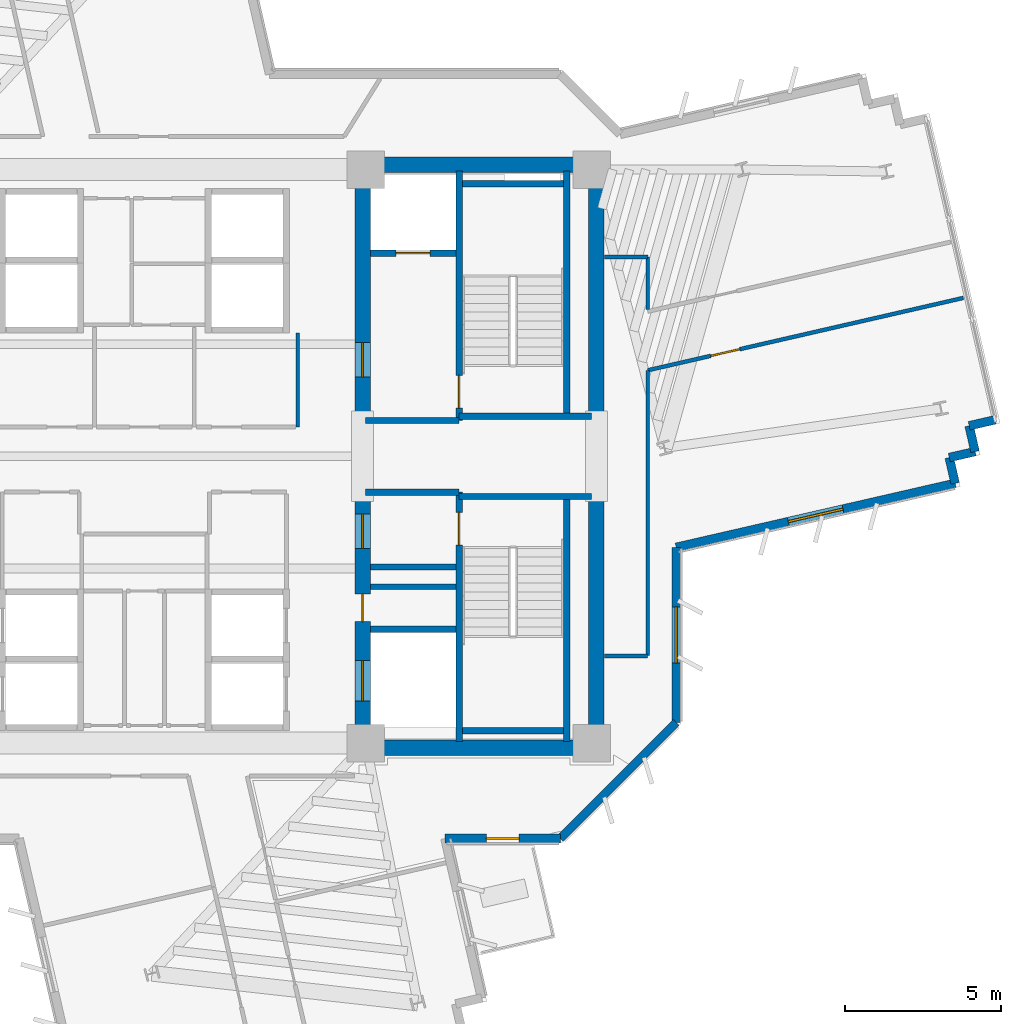
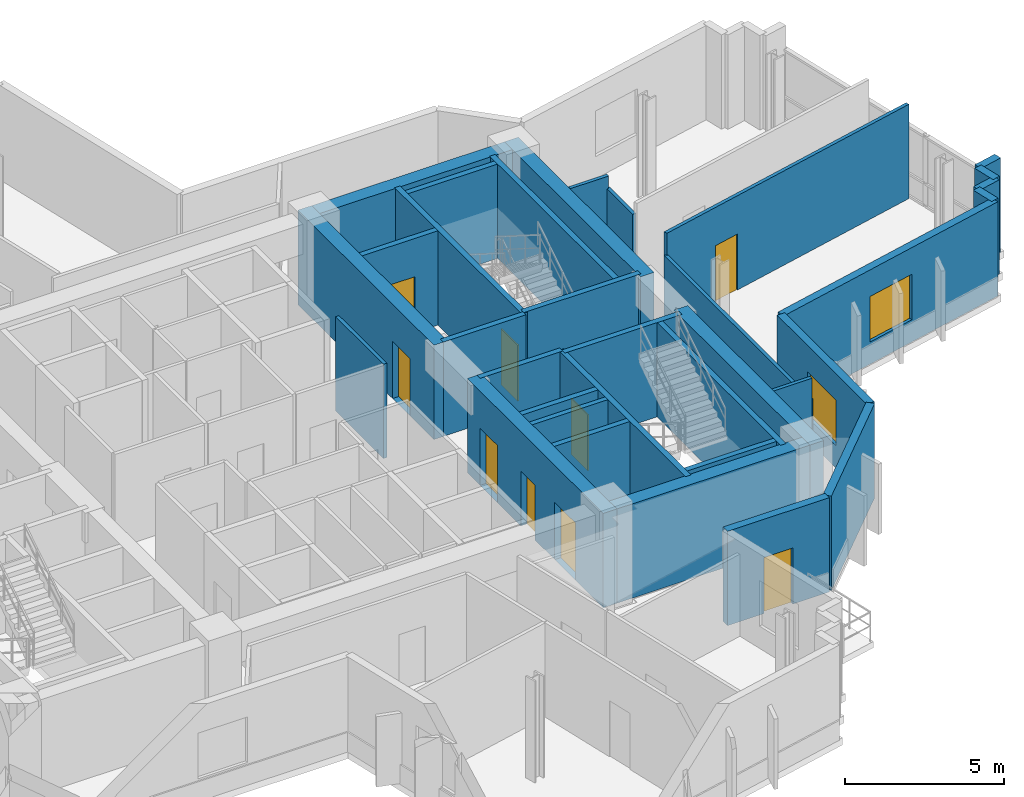
# One storey, part 9 of 13: 34 walls, 9 doors, 2 windows, 11 openings.
"""IFC4 building model written with IfcOpenShell, lengths in metres."""

import ifcopenshell
import ifcopenshell.guid

model = None  # the IFC model being written
_history = None  # IfcOwnerHistory: only IFC2X3 demands one
_inside = {}  # id of a spatial element -> (the spatial element, [elements in it])
_under = {}  # id of a project, library or spatial element -> (it, [spatial elements below it])
_declared = {}  # id of a project -> (the project, [libraries it declares])
_typed = {}  # id of a type object -> (the type object, [elements of that type])
_made_of = {}  # id of a material, layer set ... -> (it, [elements and type objects made of it])


def new_model(schema):
    """Start an empty IFC model of exactly this schema.

    Asked for "IFC4X3", IfcOpenShell would pick the latest addendum, in which some entities
    have other attributes; the version numbers below select the first issue.
    IFC2X3 requires an IfcOwnerHistory on every rooted entity: one is made here for all.
    """
    global model, _history
    if schema == "IFC4X3":
        model = ifcopenshell.file(schema_version=(4, 3, 0, 0))
    else:
        model = ifcopenshell.file(schema=schema)
    _inside.clear()
    _under.clear()
    _declared.clear()
    _typed.clear()
    _made_of.clear()
    _history = None
    if model.schema == "IFC2X3":
        org = make("IfcOrganization", Name="unknown")
        user = make(
            "IfcPersonAndOrganization",
            ThePerson=make("IfcPerson", FamilyName="unknown"),
            TheOrganization=org,
        )
        app = make(
            "IfcApplication",
            ApplicationDeveloper=org,
            Version="unknown",
            ApplicationFullName="unknown",
            ApplicationIdentifier="unknown",
        )
        _history = make(
            "IfcOwnerHistory",
            OwningUser=user,
            OwningApplication=app,
            ChangeAction="ADDED",
            CreationDate=0,
        )
    return model


def make(cls, **values):
    """One entity of the class cls with the attributes given. An attribute that is None is left unset."""
    return model.create_entity(
        cls, **{name: value for name, value in values.items() if value is not None}
    )


def rooted(cls, **values):
    """An entity with a GlobalId (a new one), such as an element, a storey or a relation."""
    return make(cls, GlobalId=ifcopenshell.guid.new(), OwnerHistory=_history, **values)


def si_unit(unit_type, name, prefix=None):
    """IfcSIUnit, for example si_unit("LENGTHUNIT", "METRE", prefix="MILLI")."""
    return make("IfcSIUnit", UnitType=unit_type, Prefix=prefix, Name=name)


def assignment(units):
    """IfcUnitAssignment: the units of a project."""
    return None if units is None else make("IfcUnitAssignment", Units=units)


def point(xyz):
    """IfcCartesianPoint."""
    return None if xyz is None else make("IfcCartesianPoint", Coordinates=xyz)


def direction(xyz):
    """IfcDirection."""
    return None if xyz is None else make("IfcDirection", DirectionRatios=xyz)


def frame(location, z_axis=None, x_axis=None):
    """IfcAxis2Placement3D, a coordinate frame: its origin and axes. An axis left out is left unset."""
    return make(
        "IfcAxis2Placement3D",
        Location=point(location),
        Axis=direction(z_axis),
        RefDirection=direction(x_axis),
    )


def frame_2d(location, x_axis=None):
    """IfcAxis2Placement2D, a coordinate frame in the plane: its origin and x axis."""
    return make(
        "IfcAxis2Placement2D", Location=point(location), RefDirection=direction(x_axis)
    )


def origin():
    """The frame at (0, 0, 0) with its axes left unset."""
    return frame((0.0, 0.0, 0.0))


def place(relative_to, where):
    """IfcLocalPlacement: puts the frame where relative to a parent placement (None: the world)."""
    return make(
        "IfcLocalPlacement", PlacementRelTo=relative_to, RelativePlacement=where
    )


def context(
    kind, dimensions, precision=None, world=None, true_north=None, identifier=None
):
    """IfcGeometricRepresentationContext, for example the 3D "Model" context."""
    return make(
        "IfcGeometricRepresentationContext",
        ContextIdentifier=identifier,
        ContextType=kind,
        CoordinateSpaceDimension=dimensions,
        Precision=precision,
        WorldCoordinateSystem=world,
        TrueNorth=true_north,
    )


def subcontext(parent, identifier, kind, view, scale=None):
    """IfcGeometricRepresentationSubContext, for example "Body" below "Model"."""
    return make(
        "IfcGeometricRepresentationSubContext",
        ContextIdentifier=identifier,
        ContextType=kind,
        ParentContext=parent,
        TargetScale=scale,
        TargetView=view,
    )


def project(units=None, contexts=None):
    """IfcProject with its units and contexts."""
    return rooted(
        "IfcProject",
        Name="project",
        RepresentationContexts=contexts,
        UnitsInContext=assignment(units),
    )


def spatial(cls, under=None, at=None, **own):
    """A site, building, storey or space (cls), placed at a placement, below another one or the project."""
    s = rooted(cls, ObjectPlacement=at, **own)
    if under is not None:
        _under.setdefault(under.id(), (under, []))[1].append(s)
    return s


def profile(cls, at=None, kind="AREA", **sizes):
    """A parametric profile (cls). Its sizes go by their IFC names, for example OverallWidth=200.0."""
    return make(cls, ProfileType=kind, Position=at, **sizes)


def rectangle(**sizes):
    """IfcRectangleProfileDef."""
    return profile("IfcRectangleProfileDef", **sizes)


def extrude(swept, where, along, depth):
    """IfcExtrudedAreaSolid: the profile swept, set in the frame where, extruded along a direction by depth."""
    return make(
        "IfcExtrudedAreaSolid",
        SweptArea=swept,
        Position=where,
        ExtrudedDirection=direction(along),
        Depth=depth,
    )


def shape(context_of_items, identifier, shape_type, items):
    """IfcShapeRepresentation: the items that make up one representation, for example the "Body"."""
    return make(
        "IfcShapeRepresentation",
        ContextOfItems=context_of_items,
        RepresentationIdentifier=identifier,
        RepresentationType=shape_type,
        Items=items,
    )


def source(mapping_origin, context_of_items, identifier, shape_type, items):
    """IfcRepresentationMap: a shape defined once, which mapped items show again and again."""
    return make(
        "IfcRepresentationMap",
        MappingOrigin=mapping_origin,
        MappedRepresentation=shape(context_of_items, identifier, shape_type, items),
    )


def transform(
    local_origin,
    x_axis=None,
    y_axis=None,
    z_axis=None,
    scale=None,
    scale2=None,
    scale3=None,
    uniform=True,
):
    """IfcCartesianTransformationOperator3D, or its non-uniform kind. x_axis, y_axis, z_axis: its Axis1, 2, 3."""
    if uniform:
        return make(
            "IfcCartesianTransformationOperator3D",
            Axis1=direction(x_axis),
            Axis2=direction(y_axis),
            LocalOrigin=point(local_origin),
            Scale=scale,
            Axis3=direction(z_axis),
        )
    return make(
        "IfcCartesianTransformationOperator3DnonUniform",
        Axis1=direction(x_axis),
        Axis2=direction(y_axis),
        LocalOrigin=point(local_origin),
        Scale=scale,
        Axis3=direction(z_axis),
        Scale2=scale2,
        Scale3=scale3,
    )


def mapped(mapping_source, mapping_target):
    """IfcMappedItem: shows the shape of a source again, moved by a transform."""
    return make(
        "IfcMappedItem", MappingSource=mapping_source, MappingTarget=mapping_target
    )


def material(Name=None, Category=None):
    """IfcMaterial."""
    return make("IfcMaterial", Name=Name, Category=Category)


def layer(
    of_material, thickness, ventilated=None, Name=None, Category=None, Priority=None
):
    """IfcMaterialLayer: one layer of a wall or slab, of a material (None: an air gap)."""
    return make(
        "IfcMaterialLayer",
        Material=of_material,
        LayerThickness=thickness,
        IsVentilated=ventilated,
        Name=Name,
        Category=Category,
        Priority=Priority,
    )


def layer_set(layers, Name=None):
    """IfcMaterialLayerSet."""
    return make("IfcMaterialLayerSet", MaterialLayers=layers, LayerSetName=Name)


def made_of(thing, what):
    """Note that an element or type object is made of a material, layer set ...; save() writes the relation."""
    if what is not None:
        _made_of.setdefault(what.id(), (what, []))[1].append(thing)
    return thing


def type_object(cls, material=None, **own):
    """A type object (cls), such as IfcWallType, which elements share."""
    return made_of(rooted(cls, **own), material)


def element(
    cls,
    number,
    at=None,
    inside=None,
    cuts=None,
    type_object=None,
    material=None,
    context=None,
    identifier="Body",
    shape_type=None,
    held_by="IfcProductDefinitionShape",
    body=None,
    shapes=None,
    **own,
):
    """One element of the class cls, such as IfcWall. Its Tag is "e" and its number.

    at: its placement. inside: the storey or other place that contains it. cuts: it is an
    opening in that element (IfcRelVoidsElement). A single representation is given by context,
    identifier, shape_type and body (its items); several are given by shapes. held_by: the class
    of the entity that holds the representations. save() writes the other relations.
    """
    e = rooted(cls, Tag="e%d" % number, ObjectPlacement=at, **own)
    if body is not None:
        shapes = [shape(context, identifier, shape_type, body)]
    if shapes is not None:
        e.Representation = make(held_by, Representations=shapes)
    if inside is not None:
        _inside.setdefault(inside.id(), (inside, []))[1].append(e)
    if cuts is not None:
        rooted(
            "IfcRelVoidsElement", RelatingBuildingElement=cuts, RelatedOpeningElement=e
        )
    if type_object is not None:
        _typed.setdefault(type_object.id(), (type_object, []))[1].append(e)
    return made_of(e, material)


def fill(opening, filler):
    """IfcRelFillsElement: the door or window that sits in an opening."""
    return rooted(
        "IfcRelFillsElement",
        RelatingOpeningElement=opening,
        RelatedBuildingElement=filler,
    )


def aggregate(whole, parts):
    """IfcRelAggregates: a whole, such as a stair, and the parts it consists of."""
    return rooted("IfcRelAggregates", RelatingObject=whole, RelatedObjects=parts)


def save(model, path):
    """Write the relations noted so far, then the file.

    IfcRelAggregates (storeys below a building ...), IfcRelContainedInSpatialStructure (elements
    in a storey), IfcRelDefinesByType, IfcRelAssociatesMaterial and IfcRelDeclares: one each for
    every whole, place, type object, material and project.
    """
    for whole, parts in _under.values():
        aggregate(whole, parts)
    for where, things in _inside.values():
        rooted(
            "IfcRelContainedInSpatialStructure",
            RelatedElements=things,
            RelatingStructure=where,
        )
    for kind, things in _typed.values():
        rooted("IfcRelDefinesByType", RelatedObjects=things, RelatingType=kind)
    for what, things in _made_of.values():
        rooted("IfcRelAssociatesMaterial", RelatedObjects=things, RelatingMaterial=what)
    for by, libraries in _declared.values():
        rooted("IfcRelDeclares", RelatingContext=by, RelatedDefinitions=libraries)
    model.write(path)


model = new_model("IFC4")

# Units and contexts
model_context = context("Model", 3, precision=1e-05, world=origin(), true_north=direction((0.0, 1.0)))
body_context = subcontext(model_context, "Body", "Model", "MODEL_VIEW")
ifc_project = project(units=[si_unit("LENGTHUNIT", "METRE"), si_unit("AREAUNIT", "SQUARE_METRE"), si_unit("VOLUMEUNIT", "CUBIC_METRE"), si_unit("PLANEANGLEUNIT", "RADIAN"), si_unit("MASSUNIT", "GRAM", prefix="KILO")], contexts=[model_context])

# Site, building, storey
site_placement = place(None, origin())
site = spatial("IfcSite", under=ifc_project, at=site_placement, CompositionType="ELEMENT")
building_placement = place(site_placement, origin())
building = spatial("IfcBuilding", under=site, at=building_placement, Name="Zahravan Cultural Tower", CompositionType="ELEMENT")
storey_placement = place(building_placement, frame((0.0, 0.0, 174.60009765625)))
storey = spatial("IfcBuildingStorey", under=building, at=storey_placement, Name="L40", CompositionType="ELEMENT", Elevation=174.60009765625)

# Wall, openings, doors
ifc_material_1 = material(Name="Concrete C60/75", Category="concrete")
ifc_layer_1 = layer(ifc_material_1, 0.5)
ifc_layer_set_1 = layer_set([ifc_layer_1], Name="Concrete C60/75")
wall_type_1 = type_object("IfcWallType", Name="CW-SHEAR-500-C60", PredefinedType="SHEAR", material=ifc_layer_set_1)
wall_1_placement = place(storey_placement, frame((43.0, 17.39990234375, 0.0), z_axis=(0.0, 0.0, 1.0), x_axis=(0.0, 1.0, 0.0)))
wall_1 = element("IfcWall", 1, at=wall_1_placement, inside=storey, type_object=wall_type_1, Name="L40 Core Shear Wall CW-E-WS-L40", PredefinedType="SHEAR", context=body_context, shape_type="SweptSolid", body=[
    extrude(rectangle(XDim=8.550048828125, YDim=0.5, at=frame_2d((4.27490234375, 0.0))), origin(), (0.0, 0.0, 1.0), 3.619873046875),
])
opening_1_placement = place(wall_1_placement, frame((6.64990234375, 0.0, 0.0)))
opening_1 = element("IfcOpeningElement", 2, at=opening_1_placement, cuts=wall_1, Name="Opening D-L40-08", PredefinedType="OPENING", context=body_context, shape_type="SweptSolid", body=[
    extrude(rectangle(XDim=1.10009765625, YDim=2.199951171875, at=frame_2d((0.550048828125, 1.10009765625))), frame((0.0, 0.260009765625, 0.0), z_axis=(0.0, -1.0, 0.0), x_axis=(1.0, 0.0, 0.0)), (0.0, 0.0, 1.0), 0.52001953125),
])
opening_2_placement = place(wall_1_placement, frame((1.75, 0.0, 0.0)))
opening_2 = element("IfcOpeningElement", 3, at=opening_2_placement, cuts=wall_1, Name="Opening LD-L40-03", PredefinedType="OPENING", context=body_context, shape_type="SweptSolid", body=[
    extrude(rectangle(XDim=1.300048828125, YDim=2.199951171875, at=frame_2d((0.64990234375, 1.10009765625))), frame((0.0, 0.260009765625, 0.0), z_axis=(0.0, -1.0, 0.0), x_axis=(1.0, 0.0, 0.0)), (0.0, 0.0, 1.0), 0.52001953125),
])
opening_3_placement = place(wall_1_placement, frame((4.300048828125, 0.0, 0.0)))
opening_3 = element("IfcOpeningElement", 4, at=opening_3_placement, cuts=wall_1, Name="Opening D-L40-12", PredefinedType="OPENING", context=body_context, shape_type="SweptSolid", body=[
    extrude(rectangle(XDim=0.8798828125, YDim=2.10009765625, at=frame_2d((0.43994140625, 1.050048828125))), frame((0.0, 0.260009765625, 0.0), z_axis=(0.0, -1.0, 0.0), x_axis=(1.0, 0.0, 0.0)), (0.0, 0.0, 1.0), 0.52001953125),
])
ifc_material_2 = material(Name="Steel ASTM A572 Grade 50", Category="steel")
door_type_1 = type_object("IfcDoorType", Name="DR-LOBBY-1100", OperationType="NOTDEFINED", PredefinedType="DOOR", material=ifc_material_2)
shared_shape_1 = source(origin(), body_context, "Body", "SweptSolid", [
    extrude(rectangle(XDim=1.10009765625, YDim=2.199951171875, at=frame_2d((0.550048828125, 1.10009765625))), frame((0.0, 0.02490234375, 0.0), z_axis=(0.0, -1.0, 0.0), x_axis=(1.0, 0.0, 0.0)), (0.0, 0.0, 1.0), 0.050048828125),
])
door_1_placement = place(opening_1_placement, origin())
door_1 = element("IfcDoor", 5, at=door_1_placement, inside=storey, type_object=door_type_1, Name="L40 Door D-L40-08", OperationType="SINGLE_SWING_LEFT", OverallHeight=2.199951171875, OverallWidth=1.10009765625, PredefinedType="DOOR", context=body_context, shape_type="MappedRepresentation", body=[
    mapped(shared_shape_1, transform((0.0, 0.0, 0.0), x_axis=(1.0, 0.0, 0.0), y_axis=(0.0, 1.0, 0.0), z_axis=(0.0, 0.0, 1.0), scale=1.0)),
])
fill(opening_1, door_1)
door_type_2 = type_object("IfcDoorType", Name="DR-LIFT-1300", OperationType="DOUBLE_DOOR_SLIDING", PredefinedType="DOOR", material=ifc_material_2)
shared_shape_2 = source(origin(), body_context, "Body", "SweptSolid", [
    extrude(rectangle(XDim=1.300048828125, YDim=2.199951171875, at=frame_2d((0.64990234375, 1.10009765625))), frame((0.0, 0.02490234375, 0.0), z_axis=(0.0, -1.0, 0.0), x_axis=(1.0, 0.0, 0.0)), (0.0, 0.0, 1.0), 0.050048828125),
])
door_2_placement = place(opening_2_placement, origin())
door_2 = element("IfcDoor", 6, at=door_2_placement, inside=storey, type_object=door_type_2, Name="L40 Door LD-L40-03", OperationType="DOUBLE_DOOR_SLIDING", OverallHeight=2.199951171875, OverallWidth=1.300048828125, PredefinedType="DOOR", context=body_context, shape_type="MappedRepresentation", body=[
    mapped(shared_shape_2, transform((0.0, 0.0, 0.0), x_axis=(1.0, 0.0, 0.0), y_axis=(0.0, 1.0, 0.0), z_axis=(0.0, 0.0, 1.0), scale=1.0)),
])
fill(opening_2, door_2)
door_type_3 = type_object("IfcDoorType", Name="DR-SVC-880", OperationType="NOTDEFINED", PredefinedType="DOOR", material=ifc_material_2)
shared_shape_3 = source(origin(), body_context, "Body", "SweptSolid", [
    extrude(rectangle(XDim=0.8798828125, YDim=2.10009765625, at=frame_2d((0.43994140625, 1.050048828125))), frame((0.0, 0.02490234375, 0.0), z_axis=(0.0, -1.0, 0.0), x_axis=(1.0, 0.0, 0.0)), (0.0, 0.0, 1.0), 0.050048828125),
])
door_3_placement = place(opening_3_placement, origin())
door_3 = element("IfcDoor", 7, at=door_3_placement, inside=storey, type_object=door_type_3, Name="L40 Door D-L40-12", OperationType="SINGLE_SWING_LEFT", OverallHeight=2.10009765625, OverallWidth=0.8798828125, PredefinedType="DOOR", context=body_context, shape_type="MappedRepresentation", body=[
    mapped(shared_shape_3, transform((0.0, 0.0, 0.0), x_axis=(1.0, 0.0, 0.0), y_axis=(0.0, 1.0, 0.0), z_axis=(0.0, 0.0, 1.0), scale=1.0)),
])
fill(opening_3, door_3)

# Wall, opening, door
wall_2_placement = place(storey_placement, frame((43.0, 28.050048828125, 0.0), z_axis=(0.0, 0.0, 1.0), x_axis=(0.0, 1.0, 0.0)))
wall_2 = element("IfcWall", 8, at=wall_2_placement, inside=storey, type_object=wall_type_1, Name="L40 Core Shear Wall CW-E-WN-L40", PredefinedType="SHEAR", context=body_context, shape_type="SweptSolid", body=[
    extrude(rectangle(XDim=8.550048828125, YDim=0.5, at=frame_2d((4.27490234375, 0.0))), origin(), (0.0, 0.0, 1.0), 3.619873046875),
])
opening_4_placement = place(wall_2_placement, frame((1.5, 0.0, 0.0)))
opening_4 = element("IfcOpeningElement", 9, at=opening_4_placement, cuts=wall_2, Name="Opening D-L40-06", PredefinedType="OPENING", context=body_context, shape_type="SweptSolid", body=[
    extrude(rectangle(XDim=1.10009765625, YDim=2.199951171875, at=frame_2d((0.550048828125, 1.10009765625))), frame((0.0, 0.260009765625, 0.0), z_axis=(0.0, -1.0, 0.0), x_axis=(1.0, 0.0, 0.0)), (0.0, 0.0, 1.0), 0.52001953125),
])
door_4_placement = place(opening_4_placement, origin())
door_4 = element("IfcDoor", 10, at=door_4_placement, inside=storey, type_object=door_type_1, Name="L40 Door D-L40-06", OperationType="SINGLE_SWING_LEFT", OverallHeight=2.199951171875, OverallWidth=1.10009765625, PredefinedType="DOOR", context=body_context, shape_type="MappedRepresentation", body=[
    mapped(shared_shape_1, transform((0.0, 0.0, 0.0), x_axis=(1.0, 0.0, 0.0), y_axis=(0.0, 1.0, 0.0), z_axis=(0.0, 0.0, 1.0), scale=1.0)),
])
fill(opening_4, door_4)

# Wall, opening, window
ifc_material_3 = material(Name="Precast concrete C40/50", Category="concrete")
ifc_layer_2 = layer(ifc_material_3, 0.280029296875)
ifc_layer_set_2 = layer_set([ifc_layer_2], Name="Precast concrete C40/50")
wall_type_2 = type_object("IfcWallType", Name="EW-TC-280", PredefinedType="SOLIDWALL", material=ifc_layer_set_2)
wall_3_placement = place(storey_placement, frame((62.01220703125, 26.13427734375, 0.0), z_axis=(0.0, 0.0, 1.0), x_axis=(-0.974680686557, -0.223601340005, 0.0)))
wall_3 = element("IfcWall", 11, at=wall_3_placement, inside=storey, type_object=wall_type_2, Name="L40 Exterior Masonry Frame Wall 10", PredefinedType="SOLIDWALL", context=body_context, shape_type="SweptSolid", body=[
    extrude(rectangle(XDim=9.184814453125, YDim=0.280029296875, at=frame_2d((4.59228515625, 0.0))), origin(), (0.0, 0.0, 1.0), 3.619873046875),
])
opening_5_placement = place(wall_3_placement, frame((3.69189453125, 0.0, 0.85009765625)))
opening_5 = element("IfcOpeningElement", 12, at=opening_5_placement, cuts=wall_3, Name="Opening WN-02", PredefinedType="OPENING", context=body_context, shape_type="SweptSolid", body=[
    extrude(rectangle(XDim=1.800048828125, YDim=1.75, at=frame_2d((0.89990234375, 0.875))), frame((0.0, 0.14990234375, 0.0), z_axis=(0.0, -1.0, 0.0), x_axis=(1.0, 0.0, 0.0)), (0.0, 0.0, 1.0), 0.300048828125),
])
ifc_material_4 = material(Name="Low-E solar-control double glazing", Category="glass")
window_type = type_object("IfcWindowType", Name="WN-REC-1800X1750", PartitioningType="DOUBLE_PANEL_VERTICAL", PredefinedType="WINDOW", material=ifc_material_4)
shared_shape_4 = source(origin(), body_context, "Body", "SweptSolid", [
    extrude(rectangle(XDim=1.800048828125, YDim=1.75, at=frame_2d((0.89990234375, 0.875))), frame((0.0, 0.030029296875, 0.0), z_axis=(0.0, -1.0, 0.0), x_axis=(1.0, 0.0, 0.0)), (0.0, 0.0, 1.0), 0.06005859375),
])
window_1_placement = place(opening_5_placement, origin())
window_1 = element("IfcWindow", 13, at=window_1_placement, inside=storey, type_object=window_type, Name="L40 Recessed Solar Window 02", OverallHeight=1.75, OverallWidth=1.800048828125, PartitioningType="DOUBLE_PANEL_VERTICAL", PredefinedType="WINDOW", context=body_context, shape_type="MappedRepresentation", body=[
    mapped(shared_shape_4, transform((0.0, 0.0, 0.0), x_axis=(1.0, 0.0, 0.0), y_axis=(0.0, 1.0, 0.0), z_axis=(0.0, 0.0, 1.0), scale=1.0)),
])
fill(opening_5, window_1)

wall_4_placement = place(storey_placement, frame((53.06005859375, 24.08056640625, 0.0), z_axis=(0.0, 0.0, 1.0), x_axis=(0.0, -1.0, 0.0)))
wall_4 = element("IfcWall", 14, at=wall_4_placement, inside=storey, type_object=wall_type_2, Name="L40 Exterior Masonry Frame Wall 11", PredefinedType="SOLIDWALL", context=body_context, shape_type="SweptSolid", body=[
    extrude(rectangle(XDim=5.62255859375, YDim=0.280029296875, at=frame_2d((2.811279296875, 0.0))), origin(), (0.0, 0.0, 1.0), 3.619873046875),
])
opening_6_placement = place(wall_4_placement, frame((1.910888671875, 0.0, 0.85009765625)))
opening_6 = element("IfcOpeningElement", 15, at=opening_6_placement, cuts=wall_4, Name="Opening WN-02", PredefinedType="OPENING", context=body_context, shape_type="SweptSolid", body=[
    extrude(rectangle(XDim=1.800048828125, YDim=1.75, at=frame_2d((0.89990234375, 0.875))), frame((0.0, 0.14990234375, 0.0), z_axis=(0.0, -1.0, 0.0), x_axis=(1.0, 0.0, 0.0)), (0.0, 0.0, 1.0), 0.300048828125),
])
window_2_placement = place(opening_6_placement, origin())
window_2 = element("IfcWindow", 16, at=window_2_placement, inside=storey, type_object=window_type, Name="L40 Recessed Solar Window 03", OverallHeight=1.75, OverallWidth=1.800048828125, PartitioningType="DOUBLE_PANEL_VERTICAL", PredefinedType="WINDOW", context=body_context, shape_type="MappedRepresentation", body=[
    mapped(shared_shape_4, transform((0.0, 0.0, 0.0), x_axis=(1.0, 0.0, 0.0), y_axis=(0.0, 1.0, 0.0), z_axis=(0.0, 0.0, 1.0), scale=1.0)),
])
fill(opening_6, window_2)

# Wall, opening, door
wall_5_placement = place(storey_placement, frame((49.342041015625, 14.739990234375, 0.0), z_axis=(0.0, 0.0, 1.0), x_axis=(-1.0, 0.0, 0.0)))
wall_5 = element("IfcWall", 17, at=wall_5_placement, inside=storey, type_object=wall_type_2, Name="L40 Exterior Masonry Frame Wall 13", PredefinedType="SOLIDWALL", context=body_context, shape_type="SweptSolid", body=[
    extrude(rectangle(XDim=3.696533203125, YDim=0.280029296875, at=frame_2d((1.84814453125, 0.0))), origin(), (0.0, 0.0, 1.0), 3.619873046875),
])
opening_7_placement = place(wall_5_placement, frame((1.322998046875, 0.0, 0.0)))
opening_7 = element("IfcOpeningElement", 18, at=opening_7_placement, cuts=wall_5, Name="Opening D-L40-TR-SE", PredefinedType="OPENING", context=body_context, shape_type="SweptSolid", body=[
    extrude(rectangle(XDim=1.050048828125, YDim=2.14990234375, at=frame_2d((0.52490234375, 1.074951171875))), frame((0.0, 0.14990234375, 0.0), z_axis=(0.0, -1.0, 0.0), x_axis=(1.0, 0.0, 0.0)), (0.0, 0.0, 1.0), 0.300048828125),
])
ifc_material_5 = material(Name="Anodised bronze-aluminium mullion", Category="aluminium")
door_type_4 = type_object("IfcDoorType", Name="DR-TERR-1050", OperationType="NOTDEFINED", PredefinedType="DOOR", material=ifc_material_5)
shared_shape_5 = source(origin(), body_context, "Body", "SweptSolid", [
    extrude(rectangle(XDim=1.050048828125, YDim=2.14990234375, at=frame_2d((0.52490234375, 1.074951171875))), frame((0.0, 0.02490234375, 0.0), z_axis=(0.0, -1.0, 0.0), x_axis=(1.0, 0.0, 0.0)), (0.0, 0.0, 1.0), 0.050048828125),
])
door_5_placement = place(opening_7_placement, origin())
door_5 = element("IfcDoor", 19, at=door_5_placement, inside=storey, type_object=door_type_4, Name="L40 Terrace Access Door SE", OperationType="SINGLE_SWING_LEFT", OverallHeight=2.14990234375, OverallWidth=1.050048828125, PredefinedType="DOOR", context=body_context, shape_type="MappedRepresentation", body=[
    mapped(shared_shape_5, transform((0.0, 0.0, 0.0), x_axis=(1.0, 0.0, 0.0), y_axis=(0.0, 1.0, 0.0), z_axis=(0.0, 0.0, 1.0), scale=1.0)),
])
fill(opening_7, door_5)

ifc_material_6 = material(Name="Gypsum plasterboard partition")
ifc_layer_3 = layer(ifc_material_6, 0.125)
ifc_layer_set_3 = layer_set([ifc_layer_3], Name="Gypsum plasterboard partition")
wall_type_3 = type_object("IfcWallType", Name="W-PART-125", PredefinedType="PARTITIONING", material=ifc_layer_set_3)
wall_6_placement = place(storey_placement, frame((52.14990234375, 29.760986328125, 0.0), z_axis=(0.0, 0.0, 1.0), x_axis=(0.974685490502, 0.223580398525, 0.0)))
wall_6 = element("IfcWall", 20, at=wall_6_placement, inside=storey, type_object=wall_type_3, Name="L40 Interior Wall 103", PredefinedType="PARTITIONING", context=body_context, shape_type="SweptSolid", body=[
    extrude(rectangle(XDim=10.38671875, YDim=0.125, at=frame_2d((5.193359375, 0.0))), origin(), (0.0, 0.0, 1.0), 3.619873046875),
])
opening_8_placement = place(wall_6_placement, frame((2.075927734375, 0.0, 0.0)))
opening_8 = element("IfcOpeningElement", 21, at=opening_8_placement, cuts=wall_6, Name="Opening D-L40-23", PredefinedType="OPENING", context=body_context, shape_type="SweptSolid", body=[
    extrude(rectangle(XDim=0.949951171875, YDim=2.14990234375, at=frame_2d((0.47509765625, 1.074951171875))), frame((0.0, 0.072509765625, 0.0), z_axis=(0.0, -1.0, 0.0), x_axis=(1.0, 0.0, 0.0)), (0.0, 0.0, 1.0), 0.14501953125),
])
door_type_5 = type_object("IfcDoorType", Name="DR-ROOM-950", OperationType="NOTDEFINED", PredefinedType="DOOR", material=ifc_material_5)
shared_shape_6 = source(origin(), body_context, "Body", "SweptSolid", [
    extrude(rectangle(XDim=0.949951171875, YDim=2.14990234375, at=frame_2d((0.47509765625, 1.074951171875))), frame((0.0, 0.02490234375, 0.0), z_axis=(0.0, -1.0, 0.0), x_axis=(1.0, 0.0, 0.0)), (0.0, 0.0, 1.0), 0.050048828125),
])
door_6_placement = place(opening_8_placement, origin())
door_6 = element("IfcDoor", 22, at=door_6_placement, inside=storey, type_object=door_type_5, Name="L40 Door D-L40-23", OperationType="SINGLE_SWING_RIGHT", OverallHeight=2.14990234375, OverallWidth=0.949951171875, PredefinedType="DOOR", context=body_context, shape_type="MappedRepresentation", body=[
    mapped(shared_shape_6, transform((0.0, 0.0, 0.0), x_axis=(1.0, 0.0, 0.0), y_axis=(0.0, 1.0, 0.0), z_axis=(0.0, 0.0, 1.0), scale=1.0)),
])
fill(opening_8, door_6)

ifc_material_7 = material(Name="Concrete C45/55", Category="concrete")
ifc_layer_4 = layer(ifc_material_7, 0.199951171875)
ifc_layer_set_4 = layer_set([ifc_layer_4], Name="Concrete C45/55")
wall_type_4 = type_object("IfcWallType", Name="W-SHAFT-200", PredefinedType="SOLIDWALL", material=ifc_layer_set_4)
wall_7_placement = place(storey_placement, frame((46.10009765625, 17.85009765625, 0.0), z_axis=(0.0, 0.0, 1.0), x_axis=(0.0, 1.0, 0.0)))
wall_7 = element("IfcWall", 23, at=wall_7_placement, inside=storey, type_object=wall_type_4, Name="L40 Interior Wall 007", PredefinedType="SOLIDWALL", context=body_context, shape_type="SweptSolid", body=[
    extrude(rectangle(XDim=8.0, YDim=0.199951171875, at=frame_2d((4.0, 0.0))), origin(), (0.0, 0.0, 1.0), 3.619873046875),
])
opening_9_placement = place(wall_7_placement, frame((6.300048828125, 0.0, 0.0)))
opening_9 = element("IfcOpeningElement", 24, at=opening_9_placement, cuts=wall_7, Name="Opening D-L40-03", PredefinedType="OPENING", context=body_context, shape_type="SweptSolid", body=[
    extrude(rectangle(XDim=1.050048828125, YDim=2.14990234375, at=frame_2d((0.52490234375, 1.074951171875))), frame((0.0, 0.10986328125, 0.0), z_axis=(0.0, -1.0, 0.0), x_axis=(1.0, 0.0, 0.0)), (0.0, 0.0, 1.0), 0.219970703125),
])
door_type_6 = type_object("IfcDoorType", Name="DR-STAIR-1050", OperationType="NOTDEFINED", PredefinedType="DOOR", material=ifc_material_2)
door_7_placement = place(opening_9_placement, origin())
door_7 = element("IfcDoor", 25, at=door_7_placement, inside=storey, type_object=door_type_6, Name="L40 Door D-L40-03", OperationType="SINGLE_SWING_RIGHT", OverallHeight=2.14990234375, OverallWidth=1.050048828125, PredefinedType="DOOR", context=body_context, shape_type="MappedRepresentation", body=[
    mapped(shared_shape_5, transform((0.0, 0.0, 0.0), x_axis=(1.0, 0.0, 0.0), y_axis=(0.0, 1.0, 0.0), z_axis=(0.0, 0.0, 1.0), scale=1.0)),
])
fill(opening_9, door_7)

wall_8_placement = place(storey_placement, frame((46.10009765625, 28.14990234375, 0.0), z_axis=(0.0, 0.0, 1.0), x_axis=(0.0, 1.0, 0.0)))
wall_8 = element("IfcWall", 26, at=wall_8_placement, inside=storey, type_object=wall_type_4, Name="L40 Interior Wall 008", PredefinedType="SOLIDWALL", context=body_context, shape_type="SweptSolid", body=[
    extrude(rectangle(XDim=8.0, YDim=0.199951171875, at=frame_2d((4.0, 0.0))), origin(), (0.0, 0.0, 1.0), 3.619873046875),
])
opening_10_placement = place(wall_8_placement, frame((0.39990234375, 0.0, 0.0)))
opening_10 = element("IfcOpeningElement", 27, at=opening_10_placement, cuts=wall_8, Name="Opening D-L40-02", PredefinedType="OPENING", context=body_context, shape_type="SweptSolid", body=[
    extrude(rectangle(XDim=1.050048828125, YDim=2.14990234375, at=frame_2d((0.52490234375, 1.074951171875))), frame((0.0, 0.10986328125, 0.0), z_axis=(0.0, -1.0, 0.0), x_axis=(1.0, 0.0, 0.0)), (0.0, 0.0, 1.0), 0.219970703125),
])
door_8_placement = place(opening_10_placement, origin())
door_8 = element("IfcDoor", 28, at=door_8_placement, inside=storey, type_object=door_type_6, Name="L40 Door D-L40-02", OperationType="SINGLE_SWING_LEFT", OverallHeight=2.14990234375, OverallWidth=1.050048828125, PredefinedType="DOOR", context=body_context, shape_type="MappedRepresentation", body=[
    mapped(shared_shape_5, transform((0.0, 0.0, 0.0), x_axis=(1.0, 0.0, 0.0), y_axis=(0.0, 1.0, 0.0), z_axis=(0.0, 0.0, 1.0), scale=1.0)),
])
fill(opening_10, door_8)

wall_9_placement = place(storey_placement, frame((43.25, 33.52001953125, 0.0), z_axis=(0.0, 0.0, 1.0), x_axis=(1.0, 0.0, 0.0)))
wall_9 = element("IfcWall", 29, at=wall_9_placement, inside=storey, type_object=wall_type_4, Name="L40 Interior Wall 022", PredefinedType="SOLIDWALL", context=body_context, shape_type="SweptSolid", body=[
    extrude(rectangle(XDim=2.75, YDim=0.199951171875, at=frame_2d((1.375, 0.0))), origin(), (0.0, 0.0, 1.0), 3.619873046875),
])
opening_11_placement = place(wall_9_placement, frame((0.820068359375, 0.0, 0.0)))
opening_11 = element("IfcOpeningElement", 30, at=opening_11_placement, cuts=wall_9, Name="Opening LD-L40-02", PredefinedType="OPENING", context=body_context, shape_type="SweptSolid", body=[
    extrude(rectangle(XDim=1.10009765625, YDim=2.14990234375, at=frame_2d((0.550048828125, 1.074951171875))), frame((0.0, 0.10986328125, 0.0), z_axis=(0.0, -1.0, 0.0), x_axis=(1.0, 0.0, 0.0)), (0.0, 0.0, 1.0), 0.219970703125),
])
door_type_7 = type_object("IfcDoorType", Name="DR-LIFT-1100", OperationType="DOUBLE_DOOR_SLIDING", PredefinedType="DOOR", material=ifc_material_2)
shared_shape_7 = source(origin(), body_context, "Body", "SweptSolid", [
    extrude(rectangle(XDim=1.10009765625, YDim=2.14990234375, at=frame_2d((0.550048828125, 1.074951171875))), frame((0.0, 0.02490234375, 0.0), z_axis=(0.0, -1.0, 0.0), x_axis=(1.0, 0.0, 0.0)), (0.0, 0.0, 1.0), 0.050048828125),
])
door_9_placement = place(opening_11_placement, origin())
door_9 = element("IfcDoor", 31, at=door_9_placement, inside=storey, type_object=door_type_7, Name="L40 Door LD-L40-02", OperationType="DOUBLE_DOOR_SLIDING", OverallHeight=2.14990234375, OverallWidth=1.10009765625, PredefinedType="DOOR", context=body_context, shape_type="MappedRepresentation", body=[
    mapped(shared_shape_7, transform((0.0, 0.0, 0.0), x_axis=(1.0, 0.0, 0.0), y_axis=(0.0, 1.0, 0.0), z_axis=(0.0, 0.0, 1.0), scale=1.0)),
])
fill(opening_11, door_9)

# Walls
shared_shape_8 = source(origin(), body_context, "Body", "SweptSolid", [
    extrude(rectangle(XDim=8.550048828125, YDim=0.5, at=frame_2d((4.27490234375, 0.0))), origin(), (0.0, 0.0, 1.0), 3.619873046875),
])
for number, where, z_axis, x_axis, name in (
    (32, (50.5, 17.39990234375, 0.0), (0.0, 0.0, 1.0), (0.0, 1.0, 0.0), "L40 Core Shear Wall CW-E-ES-L40"),
    (33, (50.5, 28.050048828125, 0.0), (0.0, 0.0, 1.0), (0.0, 1.0, 0.0), "L40 Core Shear Wall CW-E-EN-L40"),
):
    element("IfcWall", number, at=place(storey_placement, frame(where, z_axis=z_axis, x_axis=x_axis)), inside=storey, type_object=wall_type_1, Name=name, PredefinedType="SHEAR", context=body_context, shape_type="MappedRepresentation", body=[
        mapped(shared_shape_8, transform((0.0, 0.0, 0.0), x_axis=(1.0, 0.0, 0.0), y_axis=(0.0, 1.0, 0.0), z_axis=(0.0, 0.0, 1.0), scale=1.0)),
    ])
shared_shape_9 = source(origin(), body_context, "Body", "SweptSolid", [
    extrude(rectangle(XDim=7.0, YDim=0.5, at=frame_2d((3.5, 0.0))), origin(), (0.0, 0.0, 1.0), 3.619873046875),
])
for number, where, z_axis, x_axis, name in (
    (34, (43.25, 17.64990234375, 0.0), (0.0, 0.0, 1.0), (1.0, 0.0, 0.0), "L40 Core Shear Wall CW-E-S-L40"),
    (35, (43.25, 36.35009765625, 0.0), (0.0, 0.0, 1.0), (1.0, 0.0, 0.0), "L40 Core Shear Wall CW-E-N-L40"),
):
    element("IfcWall", number, at=place(storey_placement, frame(where, z_axis=z_axis, x_axis=x_axis)), inside=storey, type_object=wall_type_1, Name=name, PredefinedType="SHEAR", context=body_context, shape_type="MappedRepresentation", body=[
        mapped(shared_shape_9, transform((0.0, 0.0, 0.0), x_axis=(1.0, 0.0, 0.0), y_axis=(0.0, 1.0, 0.0), z_axis=(0.0, 0.0, 1.0), scale=1.0)),
    ])
shared_shape_10 = source(origin(), body_context, "Body", "SweptSolid", [
    extrude(rectangle(XDim=0.85009765625, YDim=0.280029296875, at=frame_2d((0.425048828125, 0.0))), origin(), (0.0, 0.0, 1.0), 3.619873046875),
])
wall_10_placement = place(storey_placement, frame((62.460693359375, 27.981201171875, 0.0), z_axis=(0.0, 0.0, 1.0), x_axis=(0.22316012353, -0.974781800849, 0.0)))
element("IfcWall", 36, at=wall_10_placement, inside=storey, type_object=wall_type_2, Name="L40 Exterior Masonry Frame Wall 07", PredefinedType="SOLIDWALL", context=body_context, shape_type="MappedRepresentation", body=[
    mapped(shared_shape_10, transform((0.0, 0.0, 0.0), x_axis=(1.0, 0.0, 0.0), y_axis=(0.0, 1.0, 0.0), z_axis=(0.0, 0.0, 1.0), scale=1.0)),
])
shared_shape_11 = source(origin(), body_context, "Body", "SweptSolid", [
    extrude(rectangle(XDim=5.258056640625, YDim=0.280029296875, at=frame_2d((2.62890625, 0.0))), origin(), (0.0, 0.0, 1.0), 3.619873046875),
])
wall_11_placement = place(storey_placement, frame((53.06005859375, 18.4580078125, 0.0), z_axis=(0.0, 0.0, 1.0), x_axis=(-0.707106781187, -0.707106781187, 0.0)))
element("IfcWall", 37, at=wall_11_placement, inside=storey, type_object=wall_type_2, Name="L40 Exterior Masonry Frame Wall 12", PredefinedType="SOLIDWALL", context=body_context, shape_type="MappedRepresentation", body=[
    mapped(shared_shape_11, transform((0.0, 0.0, 0.0), x_axis=(1.0, 0.0, 0.0), y_axis=(0.0, 1.0, 0.0), z_axis=(0.0, 0.0, 1.0), scale=1.0)),
])
shared_shape_12 = source(origin(), body_context, "Body", "SweptSolid", [
    extrude(rectangle(XDim=0.849853515625, YDim=0.280029296875, at=frame_2d((0.4248046875, 0.0))), origin(), (0.0, 0.0, 1.0), 3.619873046875),
])
for number, where, z_axis, x_axis, name in (
    (38, (63.2890625, 28.171142578125, 0.0), (0.0, 0.0, 1.0), (-0.974704946586, -0.223495563939, 0.0), "L40 Exterior Masonry Frame Wall 06"),
    (39, (62.650390625, 27.152587890625, 0.0), (0.0, 0.0, 1.0), (-0.974704946586, -0.223495563939, 0.0), "L40 Exterior Masonry Frame Wall 08"),
    (40, (61.822021484375, 26.962646484375, 0.0), (0.0, 0.0, 1.0), (0.223768457828, -0.974642333003, 0.0), "L40 Exterior Masonry Frame Wall 09"),
):
    element("IfcWall", number, at=place(storey_placement, frame(where, z_axis=z_axis, x_axis=x_axis)), inside=storey, type_object=wall_type_2, Name=name, PredefinedType="SOLIDWALL", context=body_context, shape_type="MappedRepresentation", body=[
        mapped(shared_shape_12, transform((0.0, 0.0, 0.0), x_axis=(1.0, 0.0, 0.0), y_axis=(0.0, 1.0, 0.0), z_axis=(0.0, 0.0, 1.0), scale=1.0)),
    ])
shared_shape_13 = source(origin(), body_context, "Body", "SweptSolid", [
    extrude(rectangle(XDim=7.869873046875, YDim=0.199951171875, at=frame_2d((3.93505859375, 0.0))), origin(), (0.0, 0.0, 1.0), 3.619873046875),
])
for number, where, z_axis, x_axis, name in (
    (41, (49.550048828125, 17.85009765625, 0.0), (0.0, 0.0, 1.0), (0.0, 1.0, 0.0), "L40 Interior Wall 003"),
    (42, (49.550048828125, 28.280029296875, 0.0), (0.0, 0.0, 1.0), (0.0, 1.0, 0.0), "L40 Interior Wall 004"),
):
    element("IfcWall", number, at=place(storey_placement, frame(where, z_axis=z_axis, x_axis=x_axis)), inside=storey, type_object=wall_type_4, Name=name, PredefinedType="SOLIDWALL", context=body_context, shape_type="MappedRepresentation", body=[
        mapped(shared_shape_13, transform((0.0, 0.0, 0.0), x_axis=(1.0, 0.0, 0.0), y_axis=(0.0, 1.0, 0.0), z_axis=(0.0, 0.0, 1.0), scale=1.0)),
    ])
shared_shape_14 = source(origin(), body_context, "Body", "SweptSolid", [
    extrude(rectangle(XDim=4.25, YDim=0.199951171875, at=frame_2d((2.125, 0.0))), origin(), (0.0, 0.0, 1.0), 3.619873046875),
])
for number, where, z_axis, x_axis, name in (
    (43, (46.10009765625, 25.715087890625, 0.0), (0.0, 0.0, 1.0), (1.0, 0.0, 0.0), "L40 Interior Wall 014"),
    (44, (46.10009765625, 28.284912109375, 0.0), (0.0, 0.0, 1.0), (1.0, 0.0, 0.0), "L40 Interior Wall 016"),
):
    element("IfcWall", number, at=place(storey_placement, frame(where, z_axis=z_axis, x_axis=x_axis)), inside=storey, type_object=wall_type_4, Name=name, PredefinedType="SOLIDWALL", context=body_context, shape_type="MappedRepresentation", body=[
        mapped(shared_shape_14, transform((0.0, 0.0, 0.0), x_axis=(1.0, 0.0, 0.0), y_axis=(0.0, 1.0, 0.0), z_axis=(0.0, 0.0, 1.0), scale=1.0)),
    ])
shared_shape_15 = source(origin(), body_context, "Body", "SweptSolid", [
    extrude(rectangle(XDim=3.0, YDim=0.199951171875, at=frame_2d((1.5, 0.0))), origin(), (0.0, 0.0, 1.0), 3.619873046875),
])
for number, where, z_axis, x_axis, name in (
    (45, (43.10009765625, 25.85009765625, 0.0), (0.0, 0.0, 1.0), (1.0, 0.0, 0.0), "L40 Interior Wall 013"),
    (46, (43.10009765625, 28.14990234375, 0.0), (0.0, 0.0, 1.0), (1.0, 0.0, 0.0), "L40 Interior Wall 015"),
):
    element("IfcWall", number, at=place(storey_placement, frame(where, z_axis=z_axis, x_axis=x_axis)), inside=storey, type_object=wall_type_4, Name=name, PredefinedType="SOLIDWALL", context=body_context, shape_type="MappedRepresentation", body=[
        mapped(shared_shape_15, transform((0.0, 0.0, 0.0), x_axis=(1.0, 0.0, 0.0), y_axis=(0.0, 1.0, 0.0), z_axis=(0.0, 0.0, 1.0), scale=1.0)),
    ])
shared_shape_16 = source(origin(), body_context, "Body", "SweptSolid", [
    extrude(rectangle(XDim=3.25, YDim=0.199951171875, at=frame_2d((1.625, 0.0))), origin(), (0.0, 0.0, 1.0), 3.619873046875),
])
for number, where, z_axis, x_axis, name in (
    (47, (46.199951171875, 35.75, 0.0), (0.0, 0.0, 1.0), (1.0, 0.0, 0.0), "L40 Interior Wall 018"),
    (48, (46.199951171875, 18.199951171875, 0.0), (0.0, 0.0, 1.0), (1.0, 0.0, 0.0), "L40 Interior Wall 020"),
):
    element("IfcWall", number, at=place(storey_placement, frame(where, z_axis=z_axis, x_axis=x_axis)), inside=storey, type_object=wall_type_4, Name=name, PredefinedType="SOLIDWALL", context=body_context, shape_type="MappedRepresentation", body=[
        mapped(shared_shape_16, transform((0.0, 0.0, 0.0), x_axis=(1.0, 0.0, 0.0), y_axis=(0.0, 1.0, 0.0), z_axis=(0.0, 0.0, 1.0), scale=1.0)),
    ])
shared_shape_17 = source(origin(), body_context, "Body", "SweptSolid", [
    extrude(rectangle(XDim=2.75, YDim=0.199951171875, at=frame_2d((1.375, 0.0))), origin(), (0.0, 0.0, 1.0), 3.619873046875),
])
for number, where, z_axis, x_axis, name in (
    (49, (43.25, 23.449951171875, 0.0), (0.0, 0.0, 1.0), (1.0, 0.0, 0.0), "L40 Interior Wall 024"),
    (50, (43.25, 21.449951171875, 0.0), (0.0, 0.0, 1.0), (1.0, 0.0, 0.0), "L40 Interior Wall 025"),
):
    element("IfcWall", number, at=place(storey_placement, frame(where, z_axis=z_axis, x_axis=x_axis)), inside=storey, type_object=wall_type_4, Name=name, PredefinedType="SOLIDWALL", context=body_context, shape_type="MappedRepresentation", body=[
        mapped(shared_shape_17, transform((0.0, 0.0, 0.0), x_axis=(1.0, 0.0, 0.0), y_axis=(0.0, 1.0, 0.0), z_axis=(0.0, 0.0, 1.0), scale=1.0)),
    ])
ifc_layer_5 = layer(ifc_material_6, 0.179931640625)
ifc_layer_set_5 = layer_set([ifc_layer_5], Name="Gypsum plasterboard partition")
wall_type_5 = type_object("IfcWallType", Name="W-COMP-180", PredefinedType="PARTITIONING", material=ifc_layer_set_5)
shared_shape_18 = source(origin(), body_context, "Body", "SweptSolid", [
    extrude(rectangle(XDim=2.75, YDim=0.179931640625, at=frame_2d((1.375, 0.0))), origin(), (0.0, 0.0, 1.0), 3.619873046875),
])
wall_12_placement = place(storey_placement, frame((43.25, 22.820068359375, 0.0), z_axis=(0.0, 0.0, 1.0), x_axis=(1.0, 0.0, 0.0)))
element("IfcWall", 51, at=wall_12_placement, inside=storey, type_object=wall_type_5, Name="L40 Interior Wall 028", PredefinedType="PARTITIONING", context=body_context, shape_type="MappedRepresentation", body=[
    mapped(shared_shape_18, transform((0.0, 0.0, 0.0), x_axis=(1.0, 0.0, 0.0), y_axis=(0.0, 1.0, 0.0), z_axis=(0.0, 0.0, 1.0), scale=1.0)),
])
shared_shape_19 = source(origin(), body_context, "Body", "SweptSolid", [
    extrude(rectangle(XDim=3.010009765625, YDim=0.125, at=frame_2d((1.5048828125, 0.0))), origin(), (0.0, 0.0, 1.0), 3.619873046875),
])
wall_13_placement = place(storey_placement, frame((40.919921875, 30.949951171875, 0.0), z_axis=(0.0, 0.0, 1.0), x_axis=(0.0, -1.0, 0.0)))
element("IfcWall", 52, at=wall_13_placement, inside=storey, type_object=wall_type_3, Name="L40 Interior Wall 086", PredefinedType="PARTITIONING", context=body_context, shape_type="MappedRepresentation", body=[
    mapped(shared_shape_19, transform((0.0, 0.0, 0.0), x_axis=(1.0, 0.0, 0.0), y_axis=(0.0, 1.0, 0.0), z_axis=(0.0, 0.0, 1.0), scale=1.0)),
])
shared_shape_20 = source(origin(), body_context, "Body", "SweptSolid", [
    extrude(rectangle(XDim=1.39404296875, YDim=0.125, at=frame_2d((0.697021484375, 0.0))), origin(), (0.0, 0.0, 1.0), 3.619873046875),
])
wall_14_placement = place(storey_placement, frame((52.14892578125, 33.39892578125, 0.0), z_axis=(0.0, 0.0, 1.0), x_axis=(-0.999999754632, 0.000700525222, 0.0)))
element("IfcWall", 53, at=wall_14_placement, inside=storey, type_object=wall_type_3, Name="L40 Interior Wall 107", PredefinedType="PARTITIONING", context=body_context, shape_type="MappedRepresentation", body=[
    mapped(shared_shape_20, transform((0.0, 0.0, 0.0), x_axis=(1.0, 0.0, 0.0), y_axis=(0.0, 1.0, 0.0), z_axis=(0.0, 0.0, 1.0), scale=1.0)),
])
shared_shape_21 = source(origin(), body_context, "Body", "SweptSolid", [
    extrude(rectangle(XDim=1.38916015625, YDim=0.125, at=frame_2d((0.694580078125, 0.0))), origin(), (0.0, 0.0, 1.0), 3.619873046875),
])
wall_15_placement = place(storey_placement, frame((50.7548828125, 20.60009765625, 0.0), z_axis=(0.0, 0.0, 1.0), x_axis=(1.0, 0.0, 0.0)))
element("IfcWall", 54, at=wall_15_placement, inside=storey, type_object=wall_type_3, Name="L40 Interior Wall 101", PredefinedType="PARTITIONING", context=body_context, shape_type="MappedRepresentation", body=[
    mapped(shared_shape_21, transform((0.0, 0.0, 0.0), x_axis=(1.0, 0.0, 0.0), y_axis=(0.0, 1.0, 0.0), z_axis=(0.0, 0.0, 1.0), scale=1.0)),
])
shared_shape_22 = source(origin(), body_context, "Body", "SweptSolid", [
    extrude(rectangle(XDim=9.1533203125, YDim=0.125, at=frame_2d((4.57666015625, 0.0))), origin(), (0.0, 0.0, 1.0), 2.765869140625),
])
wall_16_placement = place(storey_placement, frame((52.149658203125, 20.607666015625, 0.0), z_axis=(0.0, 0.0, 1.0), x_axis=(2.6672357e-05, 0.999999999644, 0.0)))
element("IfcWall", 55, at=wall_16_placement, inside=storey, type_object=wall_type_3, Name="L40 Interior Wall 102", PredefinedType="PARTITIONING", context=body_context, shape_type="MappedRepresentation", body=[
    mapped(shared_shape_22, transform((0.0, 0.0, 0.0), x_axis=(1.0, 0.0, 0.0), y_axis=(0.0, 1.0, 0.0), z_axis=(0.0, 0.0, 1.0), scale=1.0)),
])
shared_shape_23 = source(origin(), body_context, "Body", "SweptSolid", [
    extrude(rectangle(XDim=1.680908203125, YDim=0.125, at=frame_2d((0.84033203125, 0.0))), origin(), (0.0, 0.0, 1.0), 3.14892578125),
])
wall_17_placement = place(storey_placement, frame((52.14990234375, 31.718017578125, 0.0), z_axis=(0.0, 0.0, 1.0), x_axis=(-0.000580973032, 0.999999831235, 0.0)))
element("IfcWall", 56, at=wall_17_placement, inside=storey, type_object=wall_type_3, Name="L40 Interior Wall 106", PredefinedType="PARTITIONING", context=body_context, shape_type="MappedRepresentation", body=[
    mapped(shared_shape_23, transform((0.0, 0.0, 0.0), x_axis=(1.0, 0.0, 0.0), y_axis=(0.0, 1.0, 0.0), z_axis=(0.0, 0.0, 1.0), scale=1.0)),
])

save(model, "model.ifc")
